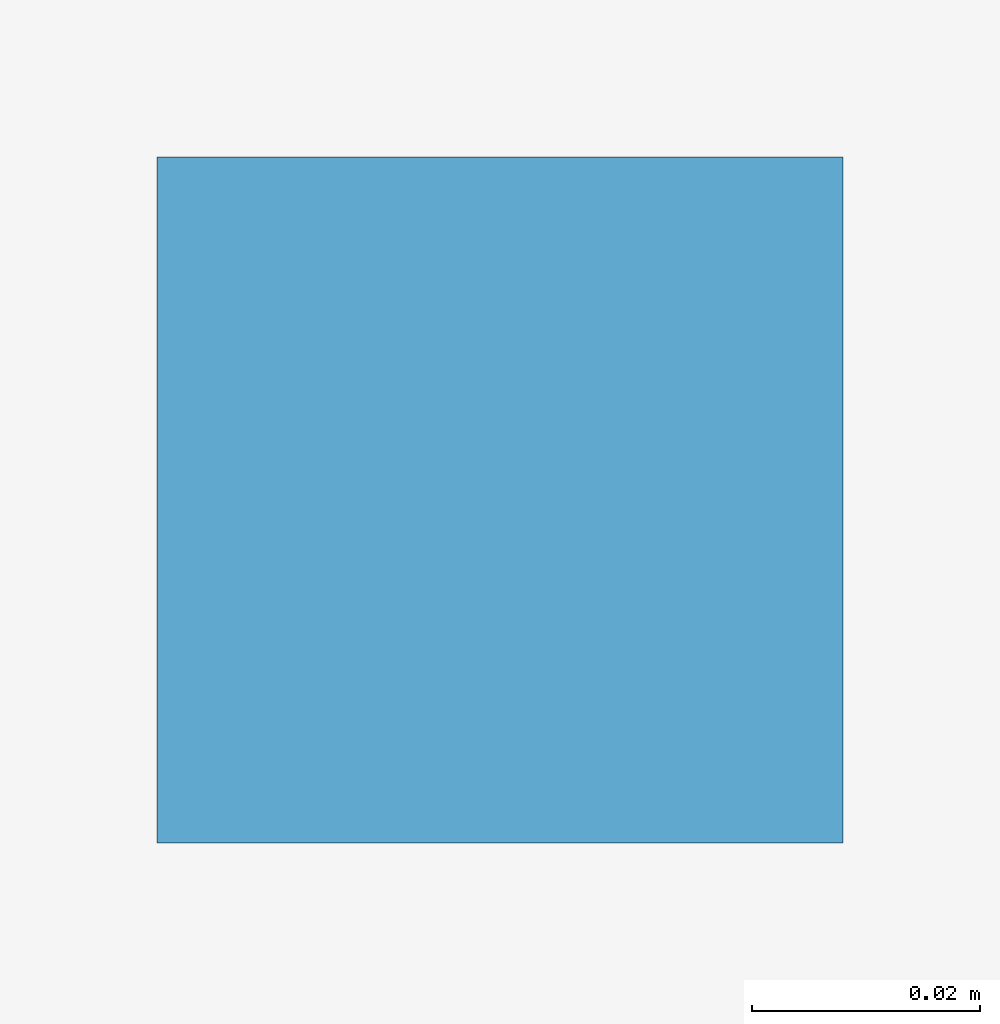
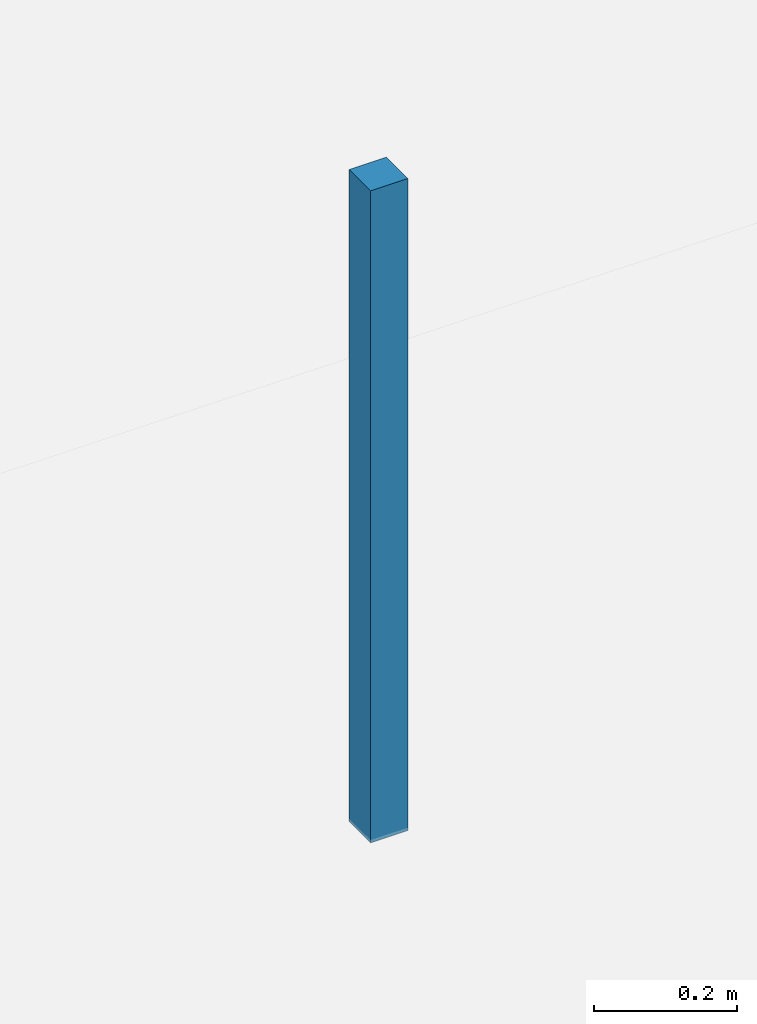
# One storey, part 125 of 139: 1 discrete accessory.
"""IFC4 building model written with IfcOpenShell, lengths in metres."""

from ifc_helpers import new_model, si_unit, derived_unit, direction, frame, origin, origin_2d, place, context, subcontext, project, spatial, rectangle, extrude, material, layer, layer_set, type_object, element, save


model = new_model("IFC4")

# Units and contexts
model_context = context("Model", 3, precision=1e-05, world=origin(), true_north=direction((0.0, 1.0)))
body_context = subcontext(model_context, "Body", "Model", "MODEL_VIEW")
ifc_project = project(units=[si_unit("LENGTHUNIT", "METRE"), si_unit("AREAUNIT", "SQUARE_METRE"), si_unit("VOLUMEUNIT", "CUBIC_METRE"), si_unit("PLANEANGLEUNIT", "RADIAN"), si_unit("MASSUNIT", "GRAM", prefix="KILO"), derived_unit("THERMALTRANSMITTANCEUNIT", [(si_unit("MASSUNIT", "GRAM", prefix="KILO"), 1), (si_unit("TIMEUNIT", "SECOND"), -3), (si_unit("THERMODYNAMICTEMPERATUREUNIT", "KELVIN"), -1)])], contexts=[model_context])

# Site, building, storey
site_placement = place(None, origin())
site = spatial("IfcSite", under=ifc_project, at=site_placement, CompositionType="ELEMENT")
building_placement = place(site_placement, origin())
building = spatial("IfcBuilding", under=site, at=building_placement, Name="Makaiwela Harbour Ferry Terminal", CompositionType="ELEMENT")
storey_placement = place(building_placement, frame((0.0, 0.0, 5.10009765625)))
storey = spatial("IfcBuildingStorey", under=building, at=storey_placement, Name="L01", CompositionType="ELEMENT", Elevation=5.10009765625)

# Discrete accessory
ifc_material = material(Name="Marine grade 316L brushed stainless steel", Category="steel")
ifc_layer = layer(ifc_material, 1.0)
ifc_layer_set = layer_set([ifc_layer], Name="Marine grade 316L brushed stainless steel")
discrete_accessory_type = type_object("IfcDiscreteAccessoryType", Name="INT-ACC-HNG", PredefinedType="BRACKET", material=ifc_layer_set)
discrete_accessory_placement = place(storey_placement, frame((158.39990234375, 78.39990234375, 3.134765625), z_axis=(0.0, 0.0, 1.0), x_axis=(1.0, 0.0, 0.0)))
element("IfcDiscreteAccessory", 1, at=discrete_accessory_placement, inside=storey, type_object=discrete_accessory_type, Name="Ceiling Suspension Bracket HNG-046", PredefinedType="BRACKET", context=body_context, shape_type="SweptSolid", body=[
    extrude(rectangle(XDim=0.06005859375, YDim=0.06005859375, at=origin_2d()), origin(), (0.0, 0.0, 1.0), 1.110107421875),
])

save(model, "model.ifc")
